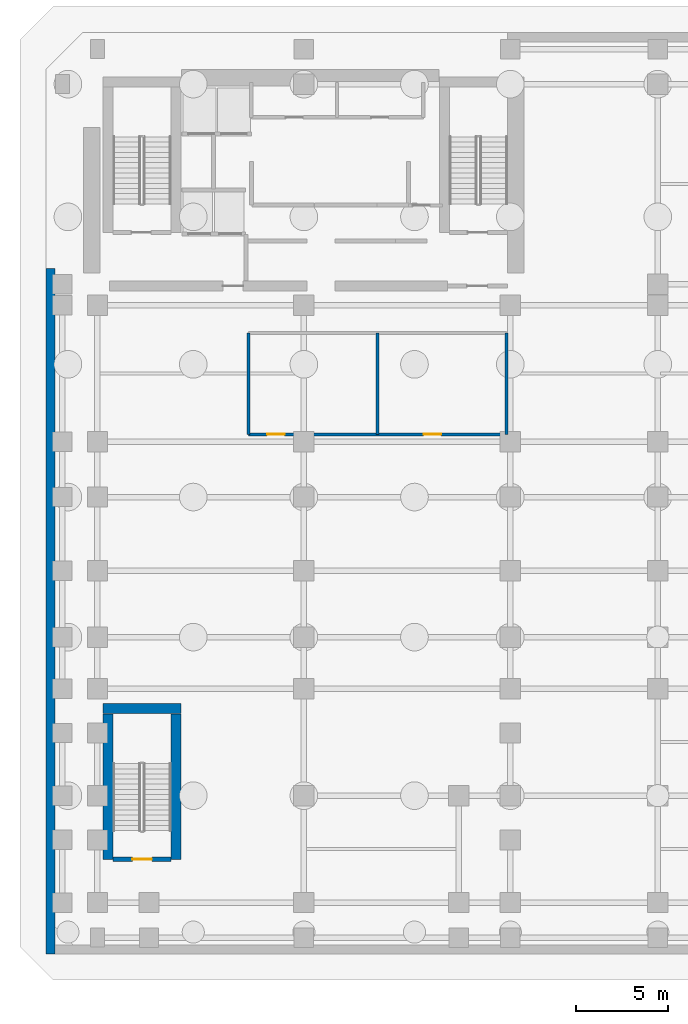
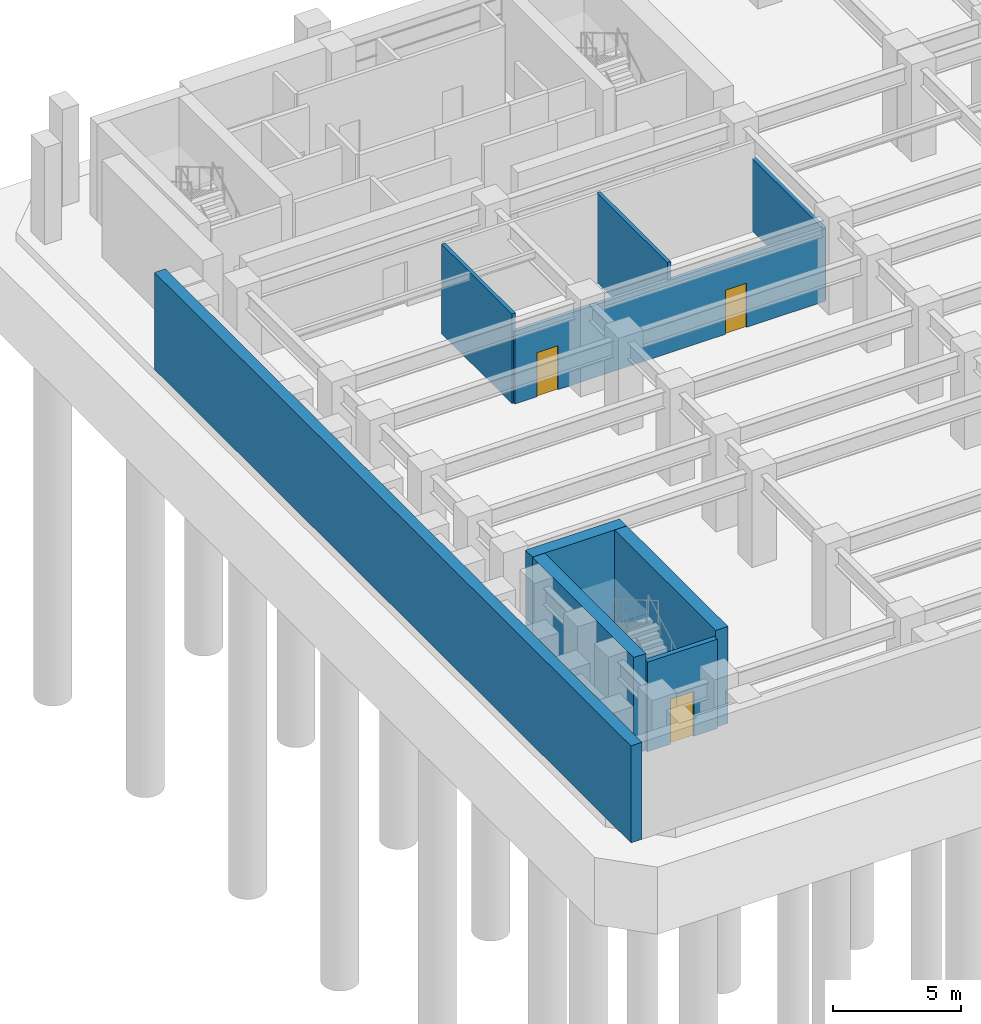
# One storey, part 6 of 13: 9 walls, 3 doors, 3 openings.
"""IFC4 building model written with IfcOpenShell, lengths in metres."""

from ifc_helpers import new_model, si_unit, direction, frame, frame_2d, origin, place, context, subcontext, project, spatial, rectangle, extrude, material, layer, layer_set, type_object, element, fill, save


model = new_model("IFC4")

# Units and contexts
model_context = context("Model", 3, precision=1e-05, world=origin(), true_north=direction((0.0, 1.0)))
body_context = subcontext(model_context, "Body", "Model", "MODEL_VIEW")
ifc_project = project(units=[si_unit("LENGTHUNIT", "METRE"), si_unit("AREAUNIT", "SQUARE_METRE"), si_unit("VOLUMEUNIT", "CUBIC_METRE"), si_unit("PLANEANGLEUNIT", "RADIAN"), si_unit("MASSUNIT", "GRAM", prefix="KILO")], contexts=[model_context])

# Site, building, storey
site_placement = place(None, origin())
site = spatial("IfcSite", under=ifc_project, at=site_placement, CompositionType="ELEMENT")
building_placement = place(site_placement, origin())
building = spatial("IfcBuilding", under=site, at=building_placement, Name="Kefirva Bronze Tower", CompositionType="ELEMENT")
storey_placement = place(building_placement, frame((0.0, 0.0, -9.239990234375)))
storey = spatial("IfcBuildingStorey", under=building, at=storey_placement, Name="B2", CompositionType="ELEMENT", Elevation=-9.239990234375)

# Wall, opening, door
ifc_material_1 = material(Name="Gypsum fireboard shaftwall")
ifc_layer_1 = layer(ifc_material_1, 0.219970703125, Name="Gypsum fireboard shaftwall")
ifc_layer_set_1 = layer_set([ifc_layer_1], Name="Gypsum fireboard shaftwall")
wall_type_1 = type_object("IfcWallType", Name="Fire-Rated Shaft Enclosure Wall 220mm", PredefinedType="PARTITIONING", material=ifc_layer_set_1)
wall_1_placement = place(storey_placement, frame((1.64990234375, 3.14990234375, 0.0), z_axis=(0.0, 0.0, 1.0), x_axis=(1.0, 0.0, 0.0)))
wall_1 = element("IfcWall", 1, at=wall_1_placement, inside=storey, type_object=wall_type_1, Name="B2 Partition W-B2-ST3S", PredefinedType="PARTITIONING", context=body_context, shape_type="SweptSolid", body=[
    extrude(rectangle(XDim=3.150146484375, YDim=0.219970703125, at=frame_2d((1.5751953125, 0.0))), origin(), (0.0, 0.0, 1.0), 4.27001953125),
])
opening_1_placement = place(wall_1_placement, frame((2.10009765625, 0.0, 0.0), z_axis=(0.0, 0.0, 1.0), x_axis=(-1.0, 0.0, 0.0)))
opening_1 = element("IfcOpeningElement", 2, at=opening_1_placement, cuts=wall_1, Name="Opening B2-D-ST3", PredefinedType="OPENING", context=body_context, shape_type="SweptSolid", body=[
    extrude(rectangle(XDim=1.050048828125, YDim=2.14990234375, at=frame_2d((0.52490234375, 1.074951171875))), frame((0.0, 0.1201171875, 0.0), z_axis=(0.0, -1.0, 0.0), x_axis=(1.0, 0.0, 0.0)), (0.0, 0.0, 1.0), 0.239990234375),
])
ifc_material_2 = material(Name="Painted galvanized steel", Category="steel")
door_type_1 = type_object("IfcDoorType", Name="Fire Stair Enclosure Door 1050x2150 FD90S", OperationType="NOTDEFINED", PredefinedType="DOOR", material=ifc_material_2)
door_1_placement = place(opening_1_placement, origin())
door_1 = element("IfcDoor", 3, at=door_1_placement, inside=storey, type_object=door_type_1, Name="Door B2-D-ST3", OperationType="SINGLE_SWING_LEFT", OverallHeight=2.14990234375, OverallWidth=1.050048828125, PredefinedType="DOOR", context=body_context, shape_type="SweptSolid", body=[
    extrude(rectangle(XDim=1.050048828125, YDim=2.14990234375, at=frame_2d((0.52490234375, 1.074951171875))), frame((0.0, 0.02490234375, 0.0), z_axis=(0.0, -1.0, 0.0), x_axis=(1.0, 0.0, 0.0)), (0.0, 0.0, 1.0), 0.050048828125),
])
fill(opening_1, door_1)

# Wall, openings, doors
ifc_material_3 = material(Name="Gypsum acoustic partition")
ifc_layer_2 = layer(ifc_material_3, 0.159912109375, Name="Gypsum acoustic partition")
ifc_layer_set_2 = layer_set([ifc_layer_2], Name="Gypsum acoustic partition")
wall_type_2 = type_object("IfcWallType", Name="Protected Corridor Partition 160mm", PredefinedType="PARTITIONING", material=ifc_layer_set_2)
wall_2_placement = place(storey_placement, frame((9.0, 26.199951171875, 0.0), z_axis=(0.0, 0.0, 1.0), x_axis=(1.0, 0.0, 0.0)))
wall_2 = element("IfcWall", 4, at=wall_2_placement, inside=storey, type_object=wall_type_2, Name="B2 Partition W-B2-PLT", PredefinedType="PARTITIONING", context=body_context, shape_type="SweptSolid", body=[
    extrude(rectangle(XDim=14.0, YDim=0.159912109375, at=frame_2d((7.0, 0.0))), origin(), (0.0, 0.0, 1.0), 3.455078125),
])
opening_2_placement = place(wall_2_placement, frame((1.0, 0.0, 0.0)))
opening_2 = element("IfcOpeningElement", 5, at=opening_2_placement, cuts=wall_2, Name="Opening B2-D-PLT1", PredefinedType="OPENING", context=body_context, shape_type="SweptSolid", body=[
    extrude(rectangle(XDim=0.949951171875, YDim=2.10009765625, at=frame_2d((0.47509765625, 1.050048828125))), frame((0.0, 0.08984375, 0.0), z_axis=(0.0, -1.0, 0.0), x_axis=(1.0, 0.0, 0.0)), (0.0, 0.0, 1.0), 0.179931640625),
])
opening_3_placement = place(wall_2_placement, frame((9.5, 0.0, 0.0)))
opening_3 = element("IfcOpeningElement", 6, at=opening_3_placement, cuts=wall_2, Name="Opening B2-D-PLT2", PredefinedType="OPENING", context=body_context, shape_type="SweptSolid", body=[
    extrude(rectangle(XDim=0.949951171875, YDim=2.10009765625, at=frame_2d((0.47509765625, 1.050048828125))), frame((0.0, 0.08984375, 0.0), z_axis=(0.0, -1.0, 0.0), x_axis=(1.0, 0.0, 0.0)), (0.0, 0.0, 1.0), 0.179931640625),
])
door_type_2 = type_object("IfcDoorType", Name="Riser & Plant Shaft Fire Door 950x2100 FD60S", OperationType="NOTDEFINED", PredefinedType="DOOR", material=ifc_material_2)
door_2_placement = place(opening_2_placement, origin())
door_2 = element("IfcDoor", 7, at=door_2_placement, inside=storey, type_object=door_type_2, Name="Door B2-D-PLT1", OperationType="SINGLE_SWING_LEFT", OverallHeight=2.10009765625, OverallWidth=0.949951171875, PredefinedType="DOOR", context=body_context, shape_type="SweptSolid", body=[
    extrude(rectangle(XDim=0.949951171875, YDim=2.10009765625, at=frame_2d((0.47509765625, 1.050048828125))), frame((0.0, 0.02490234375, 0.0), z_axis=(0.0, -1.0, 0.0), x_axis=(1.0, 0.0, 0.0)), (0.0, 0.0, 1.0), 0.050048828125),
])
fill(opening_2, door_2)
door_3_placement = place(opening_3_placement, origin())
door_3 = element("IfcDoor", 8, at=door_3_placement, inside=storey, type_object=door_type_2, Name="Door B2-D-PLT2", OperationType="SINGLE_SWING_RIGHT", OverallHeight=2.10009765625, OverallWidth=0.949951171875, PredefinedType="DOOR", context=body_context, shape_type="SweptSolid", body=[
    extrude(rectangle(XDim=0.949951171875, YDim=2.10009765625, at=frame_2d((0.47509765625, 1.050048828125))), frame((0.0, 0.02490234375, 0.0), z_axis=(0.0, -1.0, 0.0), x_axis=(1.0, 0.0, 0.0)), (0.0, 0.0, 1.0), 0.050048828125),
])
fill(opening_3, door_3)

# Walls
wall_3_placement = place(storey_placement, frame((9.0, 26.199951171875, 0.0), z_axis=(0.0, 0.0, 1.0), x_axis=(0.0, 1.0, 0.0)))
element("IfcWall", 9, at=wall_3_placement, inside=storey, type_object=wall_type_2, Name="B2 Partition W-B2-PLTW", PredefinedType="PARTITIONING", context=body_context, shape_type="SweptSolid", body=[
    extrude(rectangle(XDim=5.5, YDim=0.159912109375, at=frame_2d((2.75, 0.0))), origin(), (0.0, 0.0, 1.0), 4.27001953125),
])
wall_4_placement = place(storey_placement, frame((23.0, 26.199951171875, 0.0), z_axis=(0.0, 0.0, 1.0), x_axis=(0.0, 1.0, 0.0)))
element("IfcWall", 10, at=wall_4_placement, inside=storey, type_object=wall_type_2, Name="B2 Partition W-B2-PLTE", PredefinedType="PARTITIONING", context=body_context, shape_type="SweptSolid", body=[
    extrude(rectangle(XDim=5.5, YDim=0.159912109375, at=frame_2d((2.75, 0.0))), origin(), (0.0, 0.0, 1.0), 3.455078125),
])
wall_5_placement = place(storey_placement, frame((16.0, 26.199951171875, 0.0), z_axis=(0.0, 0.0, 1.0), x_axis=(0.0, 1.0, 0.0)))
element("IfcWall", 11, at=wall_5_placement, inside=storey, type_object=wall_type_2, Name="B2 Partition W-B2-PLTM", PredefinedType="PARTITIONING", context=body_context, shape_type="SweptSolid", body=[
    extrude(rectangle(XDim=5.5, YDim=0.159912109375, at=frame_2d((2.75, 0.0))), origin(), (0.0, 0.0, 1.0), 4.27001953125),
])
ifc_material_4 = material(Name="Concrete C40/50", Category="concrete")
ifc_layer_3 = layer(ifc_material_4, 0.5, Name="Concrete C40/50")
ifc_layer_set_3 = layer_set([ifc_layer_3], Name="Concrete C40/50")
wall_type_3 = type_object("IfcWallType", Name="RC Basement Retaining Wall 500mm", PredefinedType="SOLIDWALL", material=ifc_layer_set_3)
wall_6_placement = place(storey_placement, frame((-1.75, -2.0, 0.0), z_axis=(0.0, 0.0, 1.0), x_axis=(0.0, 1.0, 0.0)))
element("IfcWall", 12, at=wall_6_placement, inside=storey, type_object=wall_type_3, Name="B2 W Retaining Wall", PredefinedType="SOLIDWALL", context=body_context, shape_type="SweptSolid", body=[
    extrude(rectangle(XDim=37.199951171875, YDim=0.5, at=frame_2d((18.60009765625, 0.0))), origin(), (0.0, 0.0, 1.0), 4.619873046875),
])
ifc_material_5 = material(Name="Concrete C50/60", Category="concrete")
ifc_layer_4 = layer(ifc_material_5, 0.550048828125, Name="Concrete C50/60")
ifc_layer_set_4 = layer_set([ifc_layer_4], Name="Concrete C50/60")
wall_type_4 = type_object("IfcWallType", Name="RC Rear Core Interior Wall 550mm", PredefinedType="SHEAR", material=ifc_layer_set_4)
for number, where, z_axis, x_axis, name in (
    (13, (1.3701171875, 3.14990234375, 0.0), (0.0, 0.0, 1.0), (0.0, 1.0, 0.0), "B2 Stair 3 West Shear Wall"),
    (14, (5.070068359375, 3.14990234375, 0.0), (0.0, 0.0, 1.0), (0.0, 1.0, 0.0), "B2 Stair 3 East Shear Wall"),
):
    element("IfcWall", number, at=place(storey_placement, frame(where, z_axis=z_axis, x_axis=x_axis)), inside=storey, type_object=wall_type_4, Name=name, PredefinedType="SHEAR", context=body_context, shape_type="SweptSolid", body=[
        extrude(rectangle(XDim=7.89013671875, YDim=0.550048828125, at=frame_2d((3.945068359375, 0.0))), origin(), (0.0, 0.0, 1.0), 4.619873046875),
    ])
wall_7_placement = place(storey_placement, frame((1.10009765625, 11.320068359375, 0.0), z_axis=(0.0, 0.0, 1.0), x_axis=(1.0, 0.0, 0.0)))
element("IfcWall", 15, at=wall_7_placement, inside=storey, type_object=wall_type_4, Name="B2 Stair 3 North Shear Wall", PredefinedType="SHEAR", context=body_context, shape_type="SweptSolid", body=[
    extrude(rectangle(XDim=4.239990234375, YDim=0.550048828125, at=frame_2d((2.1201171875, 0.0))), origin(), (0.0, 0.0, 1.0), 4.619873046875),
])

save(model, "model.ifc")
